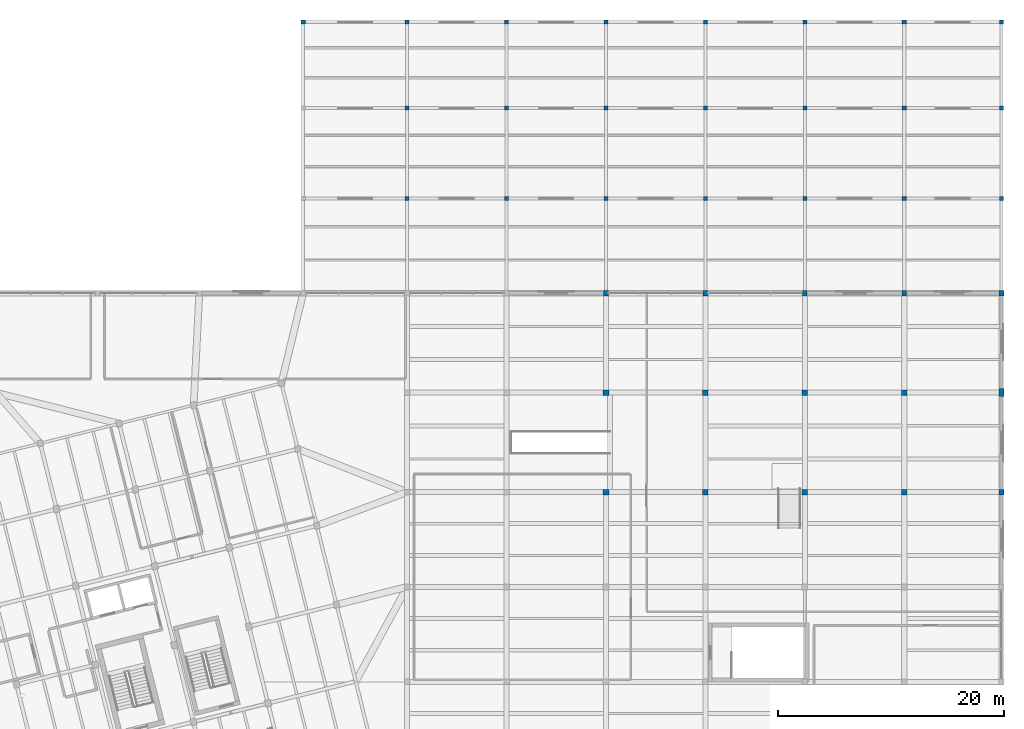
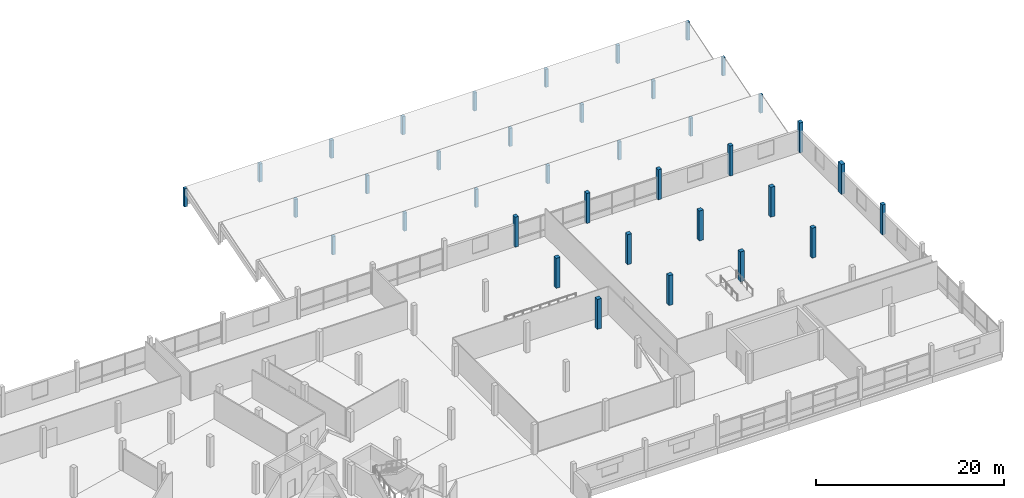
# One storey, part 5 of 62: 37 columns.
"""IFC4 building model written with IfcOpenShell, lengths in metres."""

from ifc_helpers import new_model, si_unit, direction, frame, origin, origin_2d, place, context, subcontext, project, spatial, rectangle, extrude, material, material_profile, profile_set, type_object, element, save


model = new_model("IFC4")

# Units and contexts
model_context = context("Model", 3, precision=1e-05, world=origin(), true_north=direction((0.0, 1.0)))
body_context = subcontext(model_context, "Body", "Model", "MODEL_VIEW")
ifc_project = project(units=[si_unit("LENGTHUNIT", "METRE"), si_unit("AREAUNIT", "SQUARE_METRE"), si_unit("VOLUMEUNIT", "CUBIC_METRE"), si_unit("PLANEANGLEUNIT", "RADIAN"), si_unit("MASSUNIT", "GRAM", prefix="KILO")], contexts=[model_context])

# Site, building, storey
site_placement = place(None, origin())
site = spatial("IfcSite", under=ifc_project, at=site_placement, CompositionType="ELEMENT")
building_placement = place(site_placement, origin())
building = spatial("IfcBuilding", under=site, at=building_placement, Name="Meriwether Solvik Hall", CompositionType="ELEMENT")
storey_placement = place(building_placement, frame((0.0, 0.0, 14.39990234375)))
storey = spatial("IfcBuildingStorey", under=building, at=storey_placement, Name="L03", CompositionType="ELEMENT", Elevation=14.39990234375)

# Columns
ifc_material_1 = material(Name="Glulam Douglas-Fir L2 GL28c", Category="wood")
ifc_material_profile_1 = material_profile(ifc_material_1, rectangle(XDim=0.364990234375, YDim=0.364990234375, at=origin_2d()), Name="GLC-365X365")
ifc_profile_set_1 = profile_set([ifc_material_profile_1], Name="Glulam Douglas-Fir L2 GL28c")
column_type_1 = type_object("IfcColumnType", Name="COL-GL-365X365", PredefinedType="COLUMN", material=ifc_profile_set_1)
column_1_placement = place(storey_placement, frame((105.0, 116.800048828125, 0.0), z_axis=(0.0, 0.0, 1.0), x_axis=(1.0, 0.0, 0.0)))
element("IfcColumn", 1, at=column_1_placement, inside=storey, type_object=column_type_1, Name="Roof Ridge Post 12/N (L03)", PredefinedType="COLUMN", context=body_context, shape_type="SweptSolid", body=[
    extrude(rectangle(XDim=0.364990234375, YDim=0.364990234375, at=origin_2d()), origin(), (0.0, 0.0, 1.0), 2.359375),
])
column_2_placement = place(storey_placement, frame((114.199951171875, 101.199951171875, 0.0), z_axis=(0.0, 0.0, 1.0), x_axis=(1.0, 0.0, 0.0)))
element("IfcColumn", 2, at=column_2_placement, inside=storey, type_object=column_type_1, Name="Roof Ridge Post 13/L (L03)", PredefinedType="COLUMN", context=body_context, shape_type="SweptSolid", body=[
    extrude(rectangle(XDim=0.364990234375, YDim=0.364990234375, at=origin_2d()), origin(), (0.0, 0.0, 1.0), 2.36083984375),
])
column_3_placement = place(storey_placement, frame((114.199951171875, 109.199951171875, 0.0), z_axis=(0.0, 0.0, 1.0), x_axis=(1.0, 0.0, 0.0)))
element("IfcColumn", 3, at=column_3_placement, inside=storey, type_object=column_type_1, Name="Roof Ridge Post 13/M (L03)", PredefinedType="COLUMN", context=body_context, shape_type="SweptSolid", body=[
    extrude(rectangle(XDim=0.364990234375, YDim=0.364990234375, at=origin_2d()), origin(), (0.0, 0.0, 1.0), 2.360107421875),
])
column_4_placement = place(storey_placement, frame((114.199951171875, 116.800048828125, 0.0), z_axis=(0.0, 0.0, 1.0), x_axis=(1.0, 0.0, 0.0)))
element("IfcColumn", 4, at=column_4_placement, inside=storey, type_object=column_type_1, Name="Roof Ridge Post 13/N (L03)", PredefinedType="COLUMN", context=body_context, shape_type="SweptSolid", body=[
    extrude(rectangle(XDim=0.364990234375, YDim=0.364990234375, at=origin_2d()), origin(), (0.0, 0.0, 1.0), 2.359375),
])
column_5_placement = place(storey_placement, frame((123.0, 101.199951171875, 0.0), z_axis=(0.0, 0.0, 1.0), x_axis=(1.0, 0.0, 0.0)))
element("IfcColumn", 5, at=column_5_placement, inside=storey, type_object=column_type_1, Name="Roof Ridge Post 14/L (L03)", PredefinedType="COLUMN", context=body_context, shape_type="SweptSolid", body=[
    extrude(rectangle(XDim=0.364990234375, YDim=0.364990234375, at=origin_2d()), origin(), (0.0, 0.0, 1.0), 2.36083984375),
])
column_6_placement = place(storey_placement, frame((123.0, 109.199951171875, 0.0), z_axis=(0.0, 0.0, 1.0), x_axis=(1.0, 0.0, 0.0)))
element("IfcColumn", 6, at=column_6_placement, inside=storey, type_object=column_type_1, Name="Roof Ridge Post 14/M (L03)", PredefinedType="COLUMN", context=body_context, shape_type="SweptSolid", body=[
    extrude(rectangle(XDim=0.364990234375, YDim=0.364990234375, at=origin_2d()), origin(), (0.0, 0.0, 1.0), 2.360107421875),
])
column_7_placement = place(storey_placement, frame((123.0, 116.800048828125, 0.0), z_axis=(0.0, 0.0, 1.0), x_axis=(1.0, 0.0, 0.0)))
element("IfcColumn", 7, at=column_7_placement, inside=storey, type_object=column_type_1, Name="Roof Ridge Post 14/N (L03)", PredefinedType="COLUMN", context=body_context, shape_type="SweptSolid", body=[
    extrude(rectangle(XDim=0.364990234375, YDim=0.364990234375, at=origin_2d()), origin(), (0.0, 0.0, 1.0), 2.359375),
])
column_8_placement = place(storey_placement, frame((131.800048828125, 101.199951171875, 0.0), z_axis=(0.0, 0.0, 1.0), x_axis=(1.0, 0.0, 0.0)))
element("IfcColumn", 8, at=column_8_placement, inside=storey, type_object=column_type_1, Name="Roof Ridge Post 15/L (L03)", PredefinedType="COLUMN", context=body_context, shape_type="SweptSolid", body=[
    extrude(rectangle(XDim=0.364990234375, YDim=0.364990234375, at=origin_2d()), origin(), (0.0, 0.0, 1.0), 2.36083984375),
])
column_9_placement = place(storey_placement, frame((131.800048828125, 109.199951171875, 0.0), z_axis=(0.0, 0.0, 1.0), x_axis=(1.0, 0.0, 0.0)))
element("IfcColumn", 9, at=column_9_placement, inside=storey, type_object=column_type_1, Name="Roof Ridge Post 15/M (L03)", PredefinedType="COLUMN", context=body_context, shape_type="SweptSolid", body=[
    extrude(rectangle(XDim=0.364990234375, YDim=0.364990234375, at=origin_2d()), origin(), (0.0, 0.0, 1.0), 2.360107421875),
])
column_10_placement = place(storey_placement, frame((131.800048828125, 116.800048828125, 0.0), z_axis=(0.0, 0.0, 1.0), x_axis=(1.0, 0.0, 0.0)))
element("IfcColumn", 10, at=column_10_placement, inside=storey, type_object=column_type_1, Name="Roof Ridge Post 15/N (L03)", PredefinedType="COLUMN", context=body_context, shape_type="SweptSolid", body=[
    extrude(rectangle(XDim=0.364990234375, YDim=0.364990234375, at=origin_2d()), origin(), (0.0, 0.0, 1.0), 2.359375),
])
column_11_placement = place(storey_placement, frame((140.60009765625, 101.199951171875, 0.0), z_axis=(0.0, 0.0, 1.0), x_axis=(1.0, 0.0, 0.0)))
element("IfcColumn", 11, at=column_11_placement, inside=storey, type_object=column_type_1, Name="Roof Ridge Post 16/L (L03)", PredefinedType="COLUMN", context=body_context, shape_type="SweptSolid", body=[
    extrude(rectangle(XDim=0.364990234375, YDim=0.364990234375, at=origin_2d()), origin(), (0.0, 0.0, 1.0), 2.36083984375),
])
column_12_placement = place(storey_placement, frame((140.60009765625, 109.199951171875, 0.0), z_axis=(0.0, 0.0, 1.0), x_axis=(1.0, 0.0, 0.0)))
element("IfcColumn", 12, at=column_12_placement, inside=storey, type_object=column_type_1, Name="Roof Ridge Post 16/M (L03)", PredefinedType="COLUMN", context=body_context, shape_type="SweptSolid", body=[
    extrude(rectangle(XDim=0.364990234375, YDim=0.364990234375, at=origin_2d()), origin(), (0.0, 0.0, 1.0), 2.360107421875),
])
column_13_placement = place(storey_placement, frame((140.60009765625, 116.800048828125, 0.0), z_axis=(0.0, 0.0, 1.0), x_axis=(1.0, 0.0, 0.0)))
element("IfcColumn", 13, at=column_13_placement, inside=storey, type_object=column_type_1, Name="Roof Ridge Post 16/N (L03)", PredefinedType="COLUMN", context=body_context, shape_type="SweptSolid", body=[
    extrude(rectangle(XDim=0.364990234375, YDim=0.364990234375, at=origin_2d()), origin(), (0.0, 0.0, 1.0), 2.359375),
])
column_14_placement = place(storey_placement, frame((149.39990234375, 101.199951171875, 0.0), z_axis=(0.0, 0.0, 1.0), x_axis=(1.0, 0.0, 0.0)))
element("IfcColumn", 14, at=column_14_placement, inside=storey, type_object=column_type_1, Name="Roof Ridge Post 17/L (L03)", PredefinedType="COLUMN", context=body_context, shape_type="SweptSolid", body=[
    extrude(rectangle(XDim=0.364990234375, YDim=0.364990234375, at=origin_2d()), origin(), (0.0, 0.0, 1.0), 2.36083984375),
])
column_15_placement = place(storey_placement, frame((149.39990234375, 109.199951171875, 0.0), z_axis=(0.0, 0.0, 1.0), x_axis=(1.0, 0.0, 0.0)))
element("IfcColumn", 15, at=column_15_placement, inside=storey, type_object=column_type_1, Name="Roof Ridge Post 17/M (L03)", PredefinedType="COLUMN", context=body_context, shape_type="SweptSolid", body=[
    extrude(rectangle(XDim=0.364990234375, YDim=0.364990234375, at=origin_2d()), origin(), (0.0, 0.0, 1.0), 2.360107421875),
])
column_16_placement = place(storey_placement, frame((149.39990234375, 116.800048828125, 0.0), z_axis=(0.0, 0.0, 1.0), x_axis=(1.0, 0.0, 0.0)))
element("IfcColumn", 16, at=column_16_placement, inside=storey, type_object=column_type_1, Name="Roof Ridge Post 17/N (L03)", PredefinedType="COLUMN", context=body_context, shape_type="SweptSolid", body=[
    extrude(rectangle(XDim=0.364990234375, YDim=0.364990234375, at=origin_2d()), origin(), (0.0, 0.0, 1.0), 2.359375),
])
column_17_placement = place(storey_placement, frame((158.199951171875, 101.199951171875, 0.0), z_axis=(0.0, 0.0, 1.0), x_axis=(1.0, 0.0, 0.0)))
element("IfcColumn", 17, at=column_17_placement, inside=storey, type_object=column_type_1, Name="Roof Ridge Post 18/L (L03)", PredefinedType="COLUMN", context=body_context, shape_type="SweptSolid", body=[
    extrude(rectangle(XDim=0.364990234375, YDim=0.364990234375, at=origin_2d()), origin(), (0.0, 0.0, 1.0), 2.36083984375),
])
column_18_placement = place(storey_placement, frame((158.199951171875, 109.199951171875, 0.0), z_axis=(0.0, 0.0, 1.0), x_axis=(1.0, 0.0, 0.0)))
element("IfcColumn", 18, at=column_18_placement, inside=storey, type_object=column_type_1, Name="Roof Ridge Post 18/M (L03)", PredefinedType="COLUMN", context=body_context, shape_type="SweptSolid", body=[
    extrude(rectangle(XDim=0.364990234375, YDim=0.364990234375, at=origin_2d()), origin(), (0.0, 0.0, 1.0), 2.360107421875),
])
column_19_placement = place(storey_placement, frame((158.199951171875, 116.800048828125, 0.0), z_axis=(0.0, 0.0, 1.0), x_axis=(1.0, 0.0, 0.0)))
element("IfcColumn", 19, at=column_19_placement, inside=storey, type_object=column_type_1, Name="Roof Ridge Post 18/N (L03)", PredefinedType="COLUMN", context=body_context, shape_type="SweptSolid", body=[
    extrude(rectangle(XDim=0.364990234375, YDim=0.364990234375, at=origin_2d()), origin(), (0.0, 0.0, 1.0), 2.359375),
])
column_20_placement = place(storey_placement, frame((166.800048828125, 101.199951171875, 0.0), z_axis=(0.0, 0.0, 1.0), x_axis=(1.0, 0.0, 0.0)))
element("IfcColumn", 20, at=column_20_placement, inside=storey, type_object=column_type_1, Name="Roof Ridge Post 19/L (L03)", PredefinedType="COLUMN", context=body_context, shape_type="SweptSolid", body=[
    extrude(rectangle(XDim=0.364990234375, YDim=0.364990234375, at=origin_2d()), origin(), (0.0, 0.0, 1.0), 2.36083984375),
])
column_21_placement = place(storey_placement, frame((166.800048828125, 109.199951171875, 0.0), z_axis=(0.0, 0.0, 1.0), x_axis=(1.0, 0.0, 0.0)))
element("IfcColumn", 21, at=column_21_placement, inside=storey, type_object=column_type_1, Name="Roof Ridge Post 19/M (L03)", PredefinedType="COLUMN", context=body_context, shape_type="SweptSolid", body=[
    extrude(rectangle(XDim=0.364990234375, YDim=0.364990234375, at=origin_2d()), origin(), (0.0, 0.0, 1.0), 2.360107421875),
])
column_22_placement = place(storey_placement, frame((166.800048828125, 116.800048828125, 0.0), z_axis=(0.0, 0.0, 1.0), x_axis=(1.0, 0.0, 0.0)))
element("IfcColumn", 22, at=column_22_placement, inside=storey, type_object=column_type_1, Name="Roof Ridge Post 19/N (L03)", PredefinedType="COLUMN", context=body_context, shape_type="SweptSolid", body=[
    extrude(rectangle(XDim=0.364990234375, YDim=0.364990234375, at=origin_2d()), origin(), (0.0, 0.0, 1.0), 2.359375),
])
ifc_material_2 = material(Name="Glulam Douglas-Fir L2 GL28c", Category="wood")
ifc_material_profile_2 = material_profile(ifc_material_2, rectangle(XDim=0.419921875, YDim=0.4951171875, at=origin_2d()), Name="GLC-420X495")
ifc_profile_set_2 = profile_set([ifc_material_profile_2], Name="Glulam Douglas-Fir L2 GL28c")
column_type_2 = type_object("IfcColumnType", Name="COL-GL-420X495", PredefinedType="COLUMN", material=ifc_profile_set_2)
for number, where, z_axis, x_axis, name in (
    (23, (131.800048828125, 92.800048828125, 0.0), (0.0, 0.0, 1.0), (1.0, 0.0, 0.0), "Podium Column 15/K (L03)"),
    (24, (140.60009765625, 92.800048828125, 0.0), (0.0, 0.0, 1.0), (1.0, 0.0, 0.0), "Podium Column 16/K (L03)"),
    (25, (149.39990234375, 92.800048828125, 0.0), (0.0, 0.0, 1.0), (1.0, 0.0, 0.0), "Podium Column 17/K (L03)"),
    (26, (158.199951171875, 92.800048828125, 0.0), (0.0, 0.0, 1.0), (1.0, 0.0, 0.0), "Podium Column 18/K (L03)"),
    (27, (166.800048828125, 75.199951171875, 0.0), (0.0, 0.0, 1.0), (1.0, 0.0, 0.0), "Podium Column 19/I (L03)"),
    (28, (166.800048828125, 92.800048828125, 0.0), (0.0, 0.0, 1.0), (1.0, 0.0, 0.0), "Podium Column 19/K (L03)"),
):
    element("IfcColumn", number, at=place(storey_placement, frame(where, z_axis=z_axis, x_axis=x_axis)), inside=storey, type_object=column_type_2, Name=name, PredefinedType="COLUMN", context=body_context, shape_type="SweptSolid", body=[
        extrude(rectangle(XDim=0.419921875, YDim=0.4951171875, at=origin_2d()), origin(), (0.0, 0.0, 1.0), 3.900146484375),
    ])
ifc_material_3 = material(Name="Glulam Douglas-Fir L2 GL28c", Category="wood")
ifc_material_profile_3 = material_profile(ifc_material_3, rectangle(XDim=0.4951171875, YDim=0.4951171875, at=origin_2d()), Name="GLC-495X495")
ifc_profile_set_3 = profile_set([ifc_material_profile_3], Name="Glulam Douglas-Fir L2 GL28c")
column_type_3 = type_object("IfcColumnType", Name="COL-GL-495X495", PredefinedType="COLUMN", material=ifc_profile_set_3)
for number, where, z_axis, x_axis, name in (
    (29, (131.800048828125, 75.199951171875, 0.0), (0.0, 0.0, 1.0), (1.0, 0.0, 0.0), "Podium Column 15/I (L03)"),
    (30, (131.800048828125, 84.0, 0.0), (0.0, 0.0, 1.0), (1.0, 0.0, 0.0), "Podium Column 15/J (L03)"),
    (31, (140.60009765625, 75.199951171875, 0.0), (0.0, 0.0, 1.0), (1.0, 0.0, 0.0), "Podium Column 16/I (L03)"),
    (32, (140.60009765625, 84.0, 0.0), (0.0, 0.0, 1.0), (1.0, 0.0, 0.0), "Podium Column 16/J (L03)"),
    (33, (149.39990234375, 75.199951171875, 0.0), (0.0, 0.0, 1.0), (1.0, 0.0, 0.0), "Podium Column 17/I (L03)"),
    (34, (149.39990234375, 84.0, 0.0), (0.0, 0.0, 1.0), (1.0, 0.0, 0.0), "Podium Column 17/J (L03)"),
    (35, (158.199951171875, 75.199951171875, 0.0), (0.0, 0.0, 1.0), (1.0, 0.0, 0.0), "Podium Column 18/I (L03)"),
    (36, (158.199951171875, 84.0, 0.0), (0.0, 0.0, 1.0), (1.0, 0.0, 0.0), "Podium Column 18/J (L03)"),
):
    element("IfcColumn", number, at=place(storey_placement, frame(where, z_axis=z_axis, x_axis=x_axis)), inside=storey, type_object=column_type_3, Name=name, PredefinedType="COLUMN", context=body_context, shape_type="SweptSolid", body=[
        extrude(rectangle(XDim=0.4951171875, YDim=0.4951171875, at=origin_2d()), origin(), (0.0, 0.0, 1.0), 3.900146484375),
    ])
ifc_material_4 = material(Name="Concrete C40/50", Category="concrete")
ifc_material_profile_4 = material_profile(ifc_material_4, rectangle(XDim=0.449951171875, YDim=0.699951171875, at=origin_2d()), Name="RCP-450X700")
ifc_profile_set_4 = profile_set([ifc_material_profile_4], Name="Concrete C40/50")
column_type_4 = type_object("IfcColumnType", Name="PIL-RC-450X700", PredefinedType="PILASTER", material=ifc_profile_set_4)
column_23_placement = place(storey_placement, frame((166.800048828125, 84.0, 0.0), z_axis=(0.0, 0.0, 1.0), x_axis=(1.0, 0.0, 0.0)))
element("IfcColumn", 37, at=column_23_placement, inside=storey, type_object=column_type_4, Name="Podium Column 19/J (L03)", PredefinedType="PILASTER", context=body_context, shape_type="SweptSolid", body=[
    extrude(rectangle(XDim=0.449951171875, YDim=0.699951171875, at=origin_2d()), origin(), (0.0, 0.0, 1.0), 3.900146484375),
])

save(model, "model.ifc")
